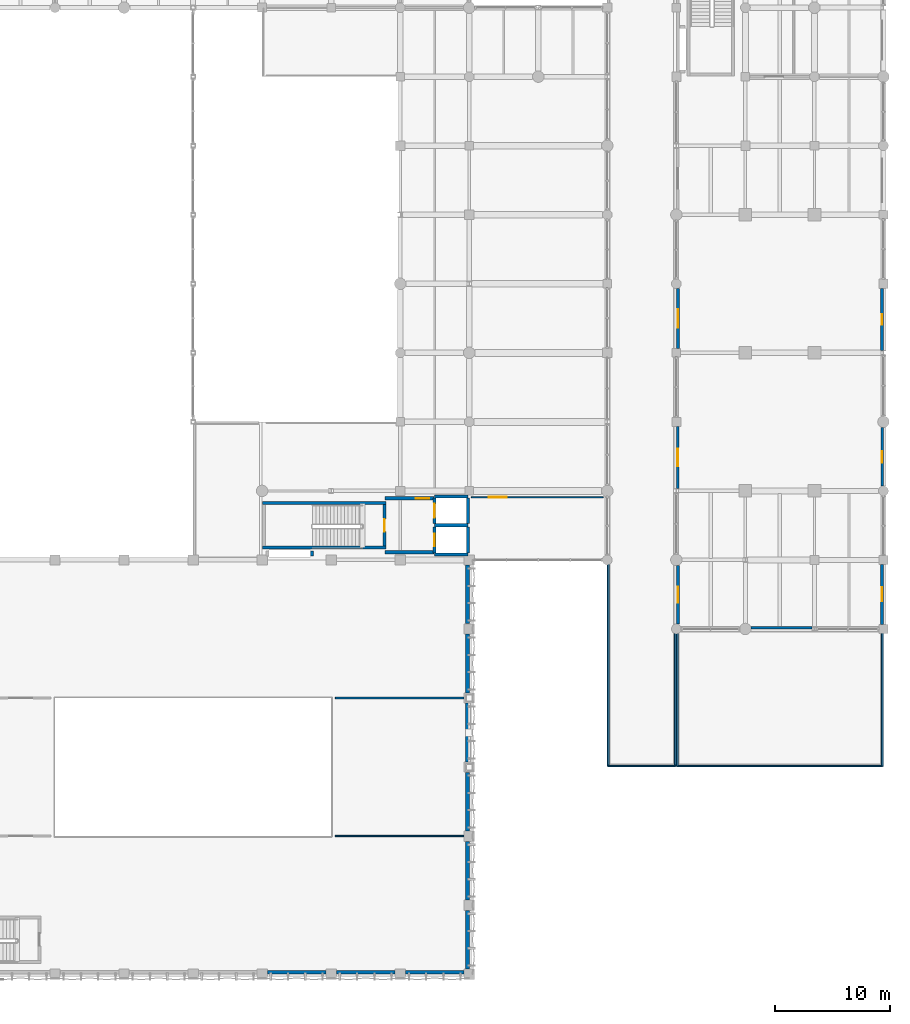
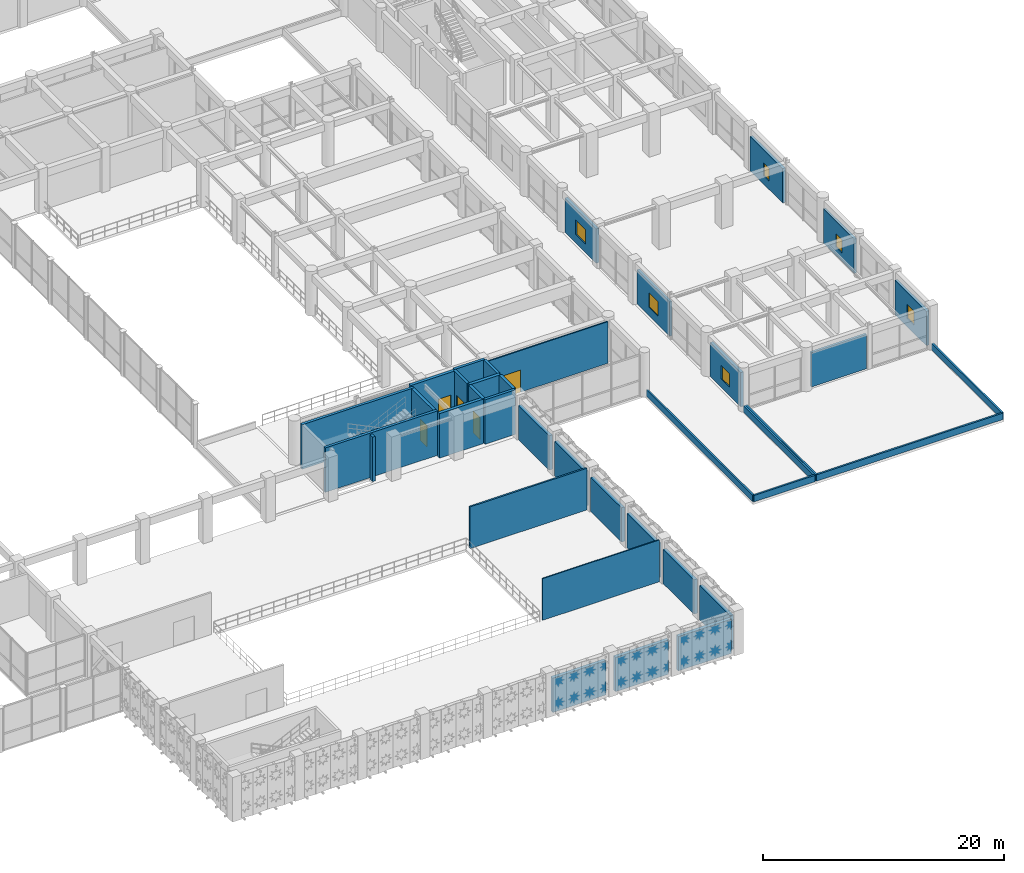
# One storey, part 105 of 133: 38 walls, 6 windows, 5 doors, 11 openings.
"""IFC4 building model written with IfcOpenShell, lengths in metres."""

from ifc_helpers import new_model, si_unit, direction, frame, frame_2d, origin, place, context, subcontext, project, spatial, rectangle, extrude, material, layer, layer_set, type_object, element, fill, save


model = new_model("IFC4")

# Units and contexts
model_context = context("Model", 3, precision=1e-05, world=origin(), true_north=direction((0.0, 1.0)))
body_context = subcontext(model_context, "Body", "Model", "MODEL_VIEW")
ifc_project = project(units=[si_unit("LENGTHUNIT", "METRE"), si_unit("AREAUNIT", "SQUARE_METRE"), si_unit("VOLUMEUNIT", "CUBIC_METRE"), si_unit("PLANEANGLEUNIT", "RADIAN"), si_unit("MASSUNIT", "GRAM", prefix="KILO"), si_unit("THERMODYNAMICTEMPERATUREUNIT", "KELVIN"), si_unit("POWERUNIT", "WATT")], contexts=[model_context])

# Site, building, storey
site_placement = place(None, origin())
site = spatial("IfcSite", under=ifc_project, at=site_placement, CompositionType="ELEMENT")
building_placement = place(site_placement, origin())
building = spatial("IfcBuilding", under=site, at=building_placement, Name="Phaisarnlok Congress Hotel", CompositionType="ELEMENT")
storey_placement = place(building_placement, frame((0.0, 0.0, 6.0)))
storey = spatial("IfcBuildingStorey", under=building, at=storey_placement, Name="L01", CompositionType="ELEMENT", Elevation=6.0)

# Wall, opening, window
ifc_material_1 = material(Name="Concrete C40/50", Category="concrete")
ifc_layer_1 = layer(ifc_material_1, 0.22998046875, Name="Concrete C40/50")
ifc_layer_set_1 = layer_set([ifc_layer_1], Name="Concrete C40/50")
wall_type_1 = type_object("IfcWallType", Name="WL-EXT-230", PredefinedType="SOLIDWALL", material=ifc_layer_set_1)
wall_1_placement = place(storey_placement, frame((162.114990234375, 47.594970703125, 0.0), z_axis=(0.0, 0.0, 1.0), x_axis=(0.0, -1.0, 0.0)))
wall_1 = element("IfcWall", 1, at=wall_1_placement, inside=storey, type_object=wall_type_1, Name="Exterior wall EW-06 (L01)", PredefinedType="SOLIDWALL", context=body_context, shape_type="SweptSolid", body=[
    extrude(rectangle(XDim=5.390380859375, YDim=0.22998046875, at=frame_2d((2.6953125, 0.0))), origin(), (0.0, 0.0, 1.0), 3.469970703125),
])
opening_1_placement = place(wall_1_placement, frame((1.945068359375, 0.0, 0.85009765625)))
opening_1 = element("IfcOpeningElement", 2, at=opening_1_placement, cuts=wall_1, Name="Opening W-12", PredefinedType="OPENING", context=body_context, shape_type="SweptSolid", body=[
    extrude(rectangle(XDim=1.5, YDim=1.5, at=frame_2d((0.75, 0.75))), frame((0.0, 0.125, 0.0), z_axis=(0.0, -1.0, 0.0), x_axis=(1.0, 0.0, 0.0)), (0.0, 0.0, 1.0), 0.25),
])
ifc_material_2 = material(Name="Thermally Broken Aluminium & Low-E Double Glazing", Category="aluminium")
window_type_1 = type_object("IfcWindowType", Name="WIN-POD-1500", PartitioningType="SINGLE_PANEL", PredefinedType="WINDOW", material=ifc_material_2)
window_1_placement = place(opening_1_placement, origin())
window_1 = element("IfcWindow", 3, at=window_1_placement, inside=storey, type_object=window_type_1, Name="Podium window W-12 (L01)", OverallHeight=1.5, OverallWidth=1.5, PartitioningType="SINGLE_PANEL", PredefinedType="WINDOW", context=body_context, shape_type="SweptSolid", body=[
    extrude(rectangle(XDim=1.5, YDim=1.5, at=frame_2d((0.75, 0.75))), frame((0.0, 0.030029296875, 0.0), z_axis=(0.0, -1.0, 0.0), x_axis=(1.0, 0.0, 0.0)), (0.0, 0.0, 1.0), 0.06005859375),
])
fill(opening_1, window_1)

# Wall
wall_2_placement = place(storey_placement, frame((168.5048828125, 30.114990234375, 0.0), z_axis=(0.0, 0.0, 1.0), x_axis=(1.0, 0.0, 0.0)))
element("IfcWall", 4, at=wall_2_placement, inside=storey, type_object=wall_type_1, Name="Exterior wall EW-06 (L01)", PredefinedType="SOLIDWALL", context=body_context, shape_type="SweptSolid", body=[
    extrude(rectangle(XDim=5.28955078125, YDim=0.22998046875, at=frame_2d((2.644775390625, 0.0))), origin(), (0.0, 0.0, 1.0), 3.469970703125),
])

# Wall, opening, window
wall_3_placement = place(storey_placement, frame((179.885009765625, 42.429931640625, 0.0), z_axis=(0.0, 0.0, 1.0), x_axis=(0.0, 1.0, 0.0)))
wall_3 = element("IfcWall", 5, at=wall_3_placement, inside=storey, type_object=wall_type_1, Name="Exterior wall EW-06 (L01)", PredefinedType="SOLIDWALL", context=body_context, shape_type="SweptSolid", body=[
    extrude(rectangle(XDim=5.065185546875, YDim=0.22998046875, at=frame_2d((2.53271484375, 0.0))), origin(), (0.0, 0.0, 1.0), 3.469970703125),
])
opening_2_placement = place(wall_3_placement, frame((2.031982421875, 0.0, 0.85009765625)))
opening_2 = element("IfcOpeningElement", 6, at=opening_2_placement, cuts=wall_3, Name="Opening W-15", PredefinedType="OPENING", context=body_context, shape_type="SweptSolid", body=[
    extrude(rectangle(XDim=1.0, YDim=1.35009765625, at=frame_2d((0.5, 0.675048828125))), frame((0.0, 0.125, 0.0), z_axis=(0.0, -1.0, 0.0), x_axis=(1.0, 0.0, 0.0)), (0.0, 0.0, 1.0), 0.25),
])
window_type_2 = type_object("IfcWindowType", Name="WIN-POD-1000", PartitioningType="SINGLE_PANEL", PredefinedType="WINDOW", material=ifc_material_2)
window_2_placement = place(opening_2_placement, origin())
window_2 = element("IfcWindow", 7, at=window_2_placement, inside=storey, type_object=window_type_2, Name="Podium window W-15 (L01)", OverallHeight=1.35009765625, OverallWidth=1.0, PartitioningType="SINGLE_PANEL", PredefinedType="WINDOW", context=body_context, shape_type="SweptSolid", body=[
    extrude(rectangle(XDim=1.0, YDim=1.35009765625, at=frame_2d((0.5, 0.675048828125))), frame((0.0, 0.030029296875, 0.0), z_axis=(0.0, -1.0, 0.0), x_axis=(1.0, 0.0, 0.0)), (0.0, 0.0, 1.0), 0.06005859375),
])
fill(opening_2, window_2)

ifc_layer_2 = layer(ifc_material_1, 0.27001953125, Name="Concrete C40/50")
ifc_layer_set_2 = layer_set([ifc_layer_2], Name="Concrete C40/50")
wall_type_2 = type_object("IfcWallType", Name="WL-EXT-270", PredefinedType="SOLIDWALL", material=ifc_layer_set_2)
wall_4_placement = place(storey_placement, frame((162.135009765625, 59.570068359375, 0.0), z_axis=(0.0, 0.0, 1.0), x_axis=(0.0, -1.0, 0.0)))
wall_4 = element("IfcWall", 8, at=wall_4_placement, inside=storey, type_object=wall_type_2, Name="Exterior wall EW-04 (L01)", PredefinedType="SOLIDWALL", context=body_context, shape_type="SweptSolid", body=[
    extrude(rectangle(XDim=5.190185546875, YDim=0.27001953125, at=frame_2d((2.59521484375, 0.0))), origin(), (0.0, 0.0, 1.0), 3.469970703125),
])
opening_3_placement = place(wall_4_placement, frame((1.794921875, 0.0, 0.85009765625)))
opening_3 = element("IfcOpeningElement", 9, at=opening_3_placement, cuts=wall_4, Name="Opening W-11", PredefinedType="OPENING", context=body_context, shape_type="SweptSolid", body=[
    extrude(rectangle(XDim=1.60009765625, YDim=1.5, at=frame_2d((0.800048828125, 0.75))), frame((0.0, 0.14501953125, 0.0), z_axis=(0.0, -1.0, 0.0), x_axis=(1.0, 0.0, 0.0)), (0.0, 0.0, 1.0), 0.2900390625),
])
window_type_3 = type_object("IfcWindowType", Name="WIN-POD-1600", PartitioningType="SINGLE_PANEL", PredefinedType="WINDOW", material=ifc_material_2)
window_3_placement = place(opening_3_placement, origin())
window_3 = element("IfcWindow", 10, at=window_3_placement, inside=storey, type_object=window_type_3, Name="Podium window W-11 (L01)", OverallHeight=1.5, OverallWidth=1.60009765625, PartitioningType="SINGLE_PANEL", PredefinedType="WINDOW", context=body_context, shape_type="SweptSolid", body=[
    extrude(rectangle(XDim=1.60009765625, YDim=1.5, at=frame_2d((0.800048828125, 0.75))), frame((0.0, 0.030029296875, 0.0), z_axis=(0.0, -1.0, 0.0), x_axis=(1.0, 0.0, 0.0)), (0.0, 0.0, 1.0), 0.06005859375),
])
fill(opening_3, window_3)

wall_5_placement = place(storey_placement, frame((162.135009765625, 35.4951171875, 0.0), z_axis=(0.0, 0.0, 1.0), x_axis=(0.0, -1.0, 0.0)))
wall_5 = element("IfcWall", 11, at=wall_5_placement, inside=storey, type_object=wall_type_2, Name="Exterior wall EW-04 (L01)", PredefinedType="SOLIDWALL", context=body_context, shape_type="SweptSolid", body=[
    extrude(rectangle(XDim=5.065185546875, YDim=0.27001953125, at=frame_2d((2.53271484375, 0.0))), origin(), (0.0, 0.0, 1.0), 3.469970703125),
])
opening_4_placement = place(wall_5_placement, frame((1.83203125, 0.0, 0.85009765625)))
opening_4 = element("IfcOpeningElement", 12, at=opening_4_placement, cuts=wall_5, Name="Opening W-13", PredefinedType="OPENING", context=body_context, shape_type="SweptSolid", body=[
    extrude(rectangle(XDim=1.39990234375, YDim=1.39990234375, at=frame_2d((0.699951171875, 0.699951171875))), frame((0.0, 0.14501953125, 0.0), z_axis=(0.0, -1.0, 0.0), x_axis=(1.0, 0.0, 0.0)), (0.0, 0.0, 1.0), 0.2900390625),
])
window_type_4 = type_object("IfcWindowType", Name="WIN-POD-1400", PartitioningType="SINGLE_PANEL", PredefinedType="WINDOW", material=ifc_material_2)
window_4_placement = place(opening_4_placement, origin())
window_4 = element("IfcWindow", 13, at=window_4_placement, inside=storey, type_object=window_type_4, Name="Podium window W-13 (L01)", OverallHeight=1.39990234375, OverallWidth=1.39990234375, PartitioningType="SINGLE_PANEL", PredefinedType="WINDOW", context=body_context, shape_type="SweptSolid", body=[
    extrude(rectangle(XDim=1.39990234375, YDim=1.39990234375, at=frame_2d((0.699951171875, 0.699951171875))), frame((0.0, 0.030029296875, 0.0), z_axis=(0.0, -1.0, 0.0), x_axis=(1.0, 0.0, 0.0)), (0.0, 0.0, 1.0), 0.06005859375),
])
fill(opening_4, window_4)

wall_6_placement = place(storey_placement, frame((179.864990234375, 30.405029296875, 0.0), z_axis=(0.0, 0.0, 1.0), x_axis=(0.0, 1.0, 0.0)))
wall_6 = element("IfcWall", 14, at=wall_6_placement, inside=storey, type_object=wall_type_2, Name="Exterior wall EW-04 (L01)", PredefinedType="SOLIDWALL", context=body_context, shape_type="SweptSolid", body=[
    extrude(rectangle(XDim=5.215087890625, YDim=0.27001953125, at=frame_2d((2.607421875, 0.0))), origin(), (0.0, 0.0, 1.0), 3.469970703125),
])
opening_5_placement = place(wall_6_placement, frame((2.007080078125, 0.0, 0.85009765625)))
opening_5 = element("IfcOpeningElement", 15, at=opening_5_placement, cuts=wall_6, Name="Opening W-14", PredefinedType="OPENING", context=body_context, shape_type="SweptSolid", body=[
    extrude(rectangle(XDim=1.199951171875, YDim=1.39990234375, at=frame_2d((0.60009765625, 0.699951171875))), frame((0.0, 0.14501953125, 0.0), z_axis=(0.0, -1.0, 0.0), x_axis=(1.0, 0.0, 0.0)), (0.0, 0.0, 1.0), 0.2900390625),
])
window_type_5 = type_object("IfcWindowType", Name="WIN-POD-1200", PartitioningType="SINGLE_PANEL", PredefinedType="WINDOW", material=ifc_material_2)
window_5_placement = place(opening_5_placement, origin())
window_5 = element("IfcWindow", 16, at=window_5_placement, inside=storey, type_object=window_type_5, Name="Podium window W-14 (L01)", OverallHeight=1.39990234375, OverallWidth=1.199951171875, PartitioningType="SINGLE_PANEL", PredefinedType="WINDOW", context=body_context, shape_type="SweptSolid", body=[
    extrude(rectangle(XDim=1.199951171875, YDim=1.39990234375, at=frame_2d((0.60009765625, 0.699951171875))), frame((0.0, 0.030029296875, 0.0), z_axis=(0.0, -1.0, 0.0), x_axis=(1.0, 0.0, 0.0)), (0.0, 0.0, 1.0), 0.06005859375),
])
fill(opening_5, window_5)

wall_7_placement = place(storey_placement, frame((179.864990234375, 54.20458984375, 0.0), z_axis=(0.0, 0.0, 1.0), x_axis=(0.0, 1.0, 0.0)))
wall_7 = element("IfcWall", 17, at=wall_7_placement, inside=storey, type_object=wall_type_2, Name="Exterior wall EW-04 (L01)", PredefinedType="SOLIDWALL", context=body_context, shape_type="SweptSolid", body=[
    extrude(rectangle(XDim=5.390380859375, YDim=0.27001953125, at=frame_2d((2.6953125, 0.0))), origin(), (0.0, 0.0, 1.0), 3.469970703125),
])
opening_6_placement = place(wall_7_placement, frame((2.2451171875, 0.0, 0.85009765625)))
opening_6 = element("IfcOpeningElement", 18, at=opening_6_placement, cuts=wall_7, Name="Opening W-16", PredefinedType="OPENING", context=body_context, shape_type="SweptSolid", body=[
    extrude(rectangle(XDim=0.89990234375, YDim=1.300048828125, at=frame_2d((0.449951171875, 0.64990234375))), frame((0.0, 0.14501953125, 0.0), z_axis=(0.0, -1.0, 0.0), x_axis=(1.0, 0.0, 0.0)), (0.0, 0.0, 1.0), 0.2900390625),
])
window_type_6 = type_object("IfcWindowType", Name="WIN-POD-0900", PartitioningType="SINGLE_PANEL", PredefinedType="WINDOW", material=ifc_material_2)
window_6_placement = place(opening_6_placement, origin())
window_6 = element("IfcWindow", 19, at=window_6_placement, inside=storey, type_object=window_type_6, Name="Podium window W-16 (L01)", OverallHeight=1.300048828125, OverallWidth=0.89990234375, PartitioningType="SINGLE_PANEL", PredefinedType="WINDOW", context=body_context, shape_type="SweptSolid", body=[
    extrude(rectangle(XDim=0.89990234375, YDim=1.300048828125, at=frame_2d((0.449951171875, 0.64990234375))), frame((0.0, 0.030029296875, 0.0), z_axis=(0.0, -1.0, 0.0), x_axis=(1.0, 0.0, 0.0)), (0.0, 0.0, 1.0), 0.06005859375),
])
fill(opening_6, window_6)

# Walls
ifc_layer_3 = layer(ifc_material_1, 0.320068359375, Name="Concrete C40/50")
ifc_layer_set_3 = layer_set([ifc_layer_3], Name="Concrete C40/50")
wall_type_3 = type_object("IfcWallType", Name="WL-EXT-320", PredefinedType="SOLIDWALL", material=ifc_layer_set_3)
for number, where, z_axis, x_axis, name in (
    (20, (126.455078125, 0.159912109375, 0.0), (0.0, 0.0, 1.0), (1.0, 0.0, 0.0), "Exterior wall EW-02 (L01)"),
    (21, (132.455078125, 0.159912109375, 0.0), (0.0, 0.0, 1.0), (1.0, 0.0, 0.0), "Exterior wall EW-02 (L01)"),
    (22, (138.455078125, 0.159912109375, 0.0), (0.0, 0.0, 1.0), (1.0, 0.0, 0.0), "Exterior wall EW-02 (L01)"),
    (23, (143.840087890625, 0.455078125, 0.0), (0.0, 0.0, 1.0), (0.0, 1.0, 0.0), "Exterior wall EW-02 (L01)"),
    (24, (143.840087890625, 6.455078125, 0.0), (0.0, 0.0, 1.0), (0.0, 1.0, 0.0), "Exterior wall EW-02 (L01)"),
    (25, (143.840087890625, 12.455078125, 0.0), (0.0, 0.0, 1.0), (0.0, 1.0, 0.0), "Exterior wall EW-02 (L01)"),
    (26, (143.840087890625, 18.455078125, 0.0), (0.0, 0.0, 1.0), (0.0, 1.0, 0.0), "Exterior wall EW-02 (L01)"),
    (27, (143.840087890625, 24.455078125, 0.0), (0.0, 0.0, 1.0), (0.0, 1.0, 0.0), "Exterior wall EW-02 (L01)"),
    (28, (143.840087890625, 30.455078125, 0.0), (0.0, 0.0, 1.0), (0.0, 1.0, 0.0), "Exterior wall EW-02 (L01)"),
):
    element("IfcWall", number, at=place(storey_placement, frame(where, z_axis=z_axis, x_axis=x_axis)), inside=storey, type_object=wall_type_3, Name=name, PredefinedType="SOLIDWALL", context=body_context, shape_type="SweptSolid", body=[
        extrude(rectangle(XDim=5.08984375, YDim=0.320068359375, at=frame_2d((2.544921875, 0.0))), origin(), (0.0, 0.0, 1.0), 3.469970703125),
    ])
ifc_material_3 = material(Name="Service Riser Shaftwall Partition", Category="gypsum")
ifc_layer_4 = layer(ifc_material_3, 0.10498046875, Name="Service Riser Shaftwall Partition")
ifc_layer_set_4 = layer_set([ifc_layer_4], Name="Service Riser Shaftwall Partition")
wall_type_4 = type_object("IfcWallType", Name="WL-INT-105", PredefinedType="PARTITIONING", material=ifc_layer_set_4)
wall_8_placement = place(storey_placement, frame((132.3701171875, 12.0, 0.0), z_axis=(0.0, 0.0, 1.0), x_axis=(1.0, 0.0, 0.0)))
element("IfcWall", 29, at=wall_8_placement, inside=storey, type_object=wall_type_4, Name="Interior partition wall IW-08 (L01)", PredefinedType="PARTITIONING", context=body_context, shape_type="SweptSolid", body=[
    extrude(rectangle(XDim=11.1748046875, YDim=0.10498046875, at=frame_2d((5.58740234375, 0.0))), origin(), (0.0, 0.0, 1.0), 4.219970703125),
])

# Wall, opening, door
ifc_material_4 = material(Name="Lightweight Metal-Stud Gypsum Partition", Category="gypsum")
ifc_layer_5 = layer(ifc_material_4, 0.1201171875, Name="Lightweight Metal-Stud Gypsum Partition")
ifc_layer_set_5 = layer_set([ifc_layer_5], Name="Lightweight Metal-Stud Gypsum Partition")
wall_type_5 = type_object("IfcWallType", Name="WL-INT-120", PredefinedType="PARTITIONING", material=ifc_layer_set_5)
wall_9_placement = place(storey_placement, frame((144.179931640625, 41.449951171875, 0.0), z_axis=(0.0, 0.0, 1.0), x_axis=(1.0, 0.0, 0.0)))
wall_9 = element("IfcWall", 30, at=wall_9_placement, inside=storey, type_object=wall_type_5, Name="Interior partition wall IW-07 (L01)", PredefinedType="PARTITIONING", context=body_context, shape_type="SweptSolid", body=[
    extrude(rectangle(XDim=11.449951171875, YDim=0.1201171875, at=frame_2d((5.72509765625, 0.0))), origin(), (0.0, 0.0, 1.0), 4.219970703125),
])
opening_7_placement = place(wall_9_placement, frame((1.5, 0.0, 0.0)))
opening_7 = element("IfcOpeningElement", 31, at=opening_7_placement, cuts=wall_9, Name="Opening D-0082", PredefinedType="OPENING", context=body_context, shape_type="SweptSolid", body=[
    extrude(rectangle(XDim=1.60009765625, YDim=2.25, at=frame_2d((0.800048828125, 1.125))), frame((0.0, 0.070068359375, 0.0), z_axis=(0.0, -1.0, 0.0), x_axis=(1.0, 0.0, 0.0)), (0.0, 0.0, 1.0), 0.14013671875),
])
ifc_material_5 = material(Name="Frameless Tempered Acoustic Glass", Category="glass")
door_type_1 = type_object("IfcDoorType", Name="DR-GLZ-1600", OperationType="DOUBLE_DOOR_SINGLE_SWING", PredefinedType="DOOR", material=ifc_material_5)
door_1_placement = place(opening_7_placement, origin())
door_1 = element("IfcDoor", 32, at=door_1_placement, inside=storey, type_object=door_type_1, Name="Interior door D-0082 (L01)", OperationType="DOUBLE_DOOR_SINGLE_SWING", OverallHeight=2.25, OverallWidth=1.60009765625, PredefinedType="DOOR", context=body_context, shape_type="SweptSolid", body=[
    extrude(rectangle(XDim=1.60009765625, YDim=2.25, at=frame_2d((0.800048828125, 1.125))), frame((0.0, 0.02490234375, 0.0), z_axis=(0.0, -1.0, 0.0), x_axis=(1.0, 0.0, 0.0)), (0.0, 0.0, 1.0), 0.050048828125),
])
fill(opening_7, door_1)

# Walls
ifc_material_6 = material(Name="Double-Stud Acoustic Gypsum Partition", Category="gypsum")
ifc_layer_6 = layer(ifc_material_6, 0.159912109375, Name="Double-Stud Acoustic Gypsum Partition")
ifc_layer_set_6 = layer_set([ifc_layer_6], Name="Double-Stud Acoustic Gypsum Partition")
wall_type_6 = type_object("IfcWallType", Name="WL-INT-160", PredefinedType="PARTITIONING", material=ifc_layer_set_6)
wall_10_placement = place(storey_placement, frame((132.3701171875, 24.0, 0.0), z_axis=(0.0, 0.0, 1.0), x_axis=(1.0, 0.0, 0.0)))
element("IfcWall", 33, at=wall_10_placement, inside=storey, type_object=wall_type_6, Name="Interior partition wall IW-04 (L01)", PredefinedType="PARTITIONING", context=body_context, shape_type="SweptSolid", body=[
    extrude(rectangle(XDim=11.1748046875, YDim=0.159912109375, at=frame_2d((5.58740234375, 0.0))), origin(), (0.0, 0.0, 1.0), 4.219970703125),
])
ifc_layer_7 = layer(ifc_material_1, 0.169921875, Name="Concrete C40/50")
ifc_layer_set_7 = layer_set([ifc_layer_7], Name="Concrete C40/50")
wall_type_7 = type_object("IfcWallType", Name="WL-PAR-170", PredefinedType="PARAPET", material=ifc_layer_set_7)
wall_11_placement = place(storey_placement, frame((161.909912109375, 18.090087890625, 0.0), z_axis=(0.0, 0.0, 1.0), x_axis=(0.0, 1.0, 0.0)))
element("IfcWall", 34, at=wall_11_placement, inside=storey, type_object=wall_type_7, Name="Podium roof parapet WP-02 (L01)", PredefinedType="PARAPET", context=body_context, shape_type="SweptSolid", body=[
    extrude(rectangle(XDim=11.6240234375, YDim=0.169921875, at=frame_2d((5.81201171875, 0.0))), origin(), (0.0, 0.0, 1.0), 0.64990234375),
])
wall_12_placement = place(storey_placement, frame((156.090087890625, 35.714111328125, 0.0), z_axis=(0.0, 0.0, 1.0), x_axis=(0.0, -1.0, 0.0)))
element("IfcWall", 35, at=wall_12_placement, inside=storey, type_object=wall_type_7, Name="Podium roof parapet WP-02 (L01)", PredefinedType="PARAPET", context=body_context, shape_type="SweptSolid", body=[
    extrude(rectangle(XDim=17.6240234375, YDim=0.169921875, at=frame_2d((8.81201171875, 0.0))), origin(), (0.0, 0.0, 1.0), 0.64990234375),
])
wall_13_placement = place(storey_placement, frame((156.090087890625, 18.090087890625, 0.0), z_axis=(0.0, 0.0, 1.0), x_axis=(1.0, 0.0, 0.0)))
element("IfcWall", 36, at=wall_13_placement, inside=storey, type_object=wall_type_7, Name="Podium roof parapet WP-02 (L01)", PredefinedType="PARAPET", context=body_context, shape_type="SweptSolid", body=[
    extrude(rectangle(XDim=5.81982421875, YDim=0.169921875, at=frame_2d((2.909912109375, 0.0))), origin(), (0.0, 0.0, 1.0), 0.64990234375),
])
for number, where, z_axis, x_axis, name in (
    (37, (179.909912109375, 18.090087890625, 0.0), (0.0, 0.0, 1.0), (0.0, 1.0, 0.0), "Podium roof parapet WP-02 (L01)"),
    (38, (162.090087890625, 29.699951171875, 0.0), (0.0, 0.0, 1.0), (0.0, -1.0, 0.0), "Podium roof parapet WP-02 (L01)"),
):
    element("IfcWall", number, at=place(storey_placement, frame(where, z_axis=z_axis, x_axis=x_axis)), inside=storey, type_object=wall_type_7, Name=name, PredefinedType="PARAPET", context=body_context, shape_type="SweptSolid", body=[
        extrude(rectangle(XDim=11.60986328125, YDim=0.169921875, at=frame_2d((5.804931640625, 0.0))), origin(), (0.0, 0.0, 1.0), 0.64990234375),
    ])
wall_14_placement = place(storey_placement, frame((162.090087890625, 18.090087890625, 0.0), z_axis=(0.0, 0.0, 1.0), x_axis=(1.0, 0.0, 0.0)))
element("IfcWall", 39, at=wall_14_placement, inside=storey, type_object=wall_type_7, Name="Podium roof parapet WP-02 (L01)", PredefinedType="PARAPET", context=body_context, shape_type="SweptSolid", body=[
    extrude(rectangle(XDim=17.81982421875, YDim=0.169921875, at=frame_2d((8.909912109375, 0.0))), origin(), (0.0, 0.0, 1.0), 0.64990234375),
])
ifc_material_7 = material(Name="Concrete C50/60", Category="concrete")
ifc_layer_8 = layer(ifc_material_7, 0.260009765625, Name="Concrete C50/60")
ifc_layer_set_8 = layer_set([ifc_layer_8], Name="Concrete C50/60")
wall_type_8 = type_object("IfcWallType", Name="WL-SHR-260", PredefinedType="SHEAR", material=ifc_layer_set_8)
for number, where, z_axis, x_axis, name in (
    (40, (126.0400390625, 37.070068359375, 0.0), (0.0, 0.0, 1.0), (1.0, 0.0, 0.0), "Stair shaft shear wall SW-04 (CORE-6 L01)"),
    (41, (126.0400390625, 40.929931640625, 0.0), (0.0, 0.0, 1.0), (1.0, 0.0, 0.0), "Stair shaft shear wall SW-04 (CORE-6 L01)"),
):
    element("IfcWall", number, at=place(storey_placement, frame(where, z_axis=z_axis, x_axis=x_axis)), inside=storey, type_object=wall_type_8, Name=name, PredefinedType="SHEAR", context=body_context, shape_type="SweptSolid", body=[
        extrude(rectangle(XDim=10.719970703125, YDim=0.260009765625, at=frame_2d((5.35986328125, 0.0))), origin(), (0.0, 0.0, 1.0), 4.5),
    ])

# Wall, opening, door
wall_15_placement = place(storey_placement, frame((136.6298828125, 37.199951171875, 0.0), z_axis=(0.0, 0.0, 1.0), x_axis=(0.0, 1.0, 0.0)))
wall_15 = element("IfcWall", 42, at=wall_15_placement, inside=storey, type_object=wall_type_8, Name="Stair shaft shear wall SW-04 (CORE-6 L01)", PredefinedType="SHEAR", context=body_context, shape_type="SweptSolid", body=[
    extrude(rectangle(XDim=3.60009765625, YDim=0.260009765625, at=frame_2d((1.800048828125, 0.0))), origin(), (0.0, 0.0, 1.0), 4.5),
])
opening_8_placement = place(wall_15_placement, frame((1.25, 0.0, 0.0)))
opening_8 = element("IfcOpeningElement", 43, at=opening_8_placement, cuts=wall_15, Name="Opening FD-135", PredefinedType="OPENING", context=body_context, shape_type="SweptSolid", body=[
    extrude(rectangle(XDim=1.10009765625, YDim=2.14990234375, at=frame_2d((0.550048828125, 1.074951171875))), frame((0.0, 0.14013671875, 0.0), z_axis=(0.0, -1.0, 0.0), x_axis=(1.0, 0.0, 0.0)), (0.0, 0.0, 1.0), 0.280029296875),
])
ifc_material_8 = material(Name="Fire-Rated Steel Frame & Timber Leaf", Category="steel")
door_type_2 = type_object("IfcDoorType", Name="DR-FD60-1100", OperationType="NOTDEFINED", PredefinedType="DOOR", material=ifc_material_8)
door_2_placement = place(opening_8_placement, origin())
door_2 = element("IfcDoor", 44, at=door_2_placement, inside=storey, type_object=door_type_2, Name="Stair enclosure fire door FD-135 (L01)", OperationType="SINGLE_SWING_RIGHT", OverallHeight=2.14990234375, OverallWidth=1.10009765625, PredefinedType="DOOR", context=body_context, shape_type="SweptSolid", body=[
    extrude(rectangle(XDim=1.10009765625, YDim=2.14990234375, at=frame_2d((0.550048828125, 1.074951171875))), frame((0.0, 0.02490234375, 0.0), z_axis=(0.0, -1.0, 0.0), x_axis=(1.0, 0.0, 0.0)), (0.0, 0.0, 1.0), 0.050048828125),
])
fill(opening_8, door_2)

# Walls
wall_16_placement = place(storey_placement, frame((140.969970703125, 36.469970703125, 0.0), z_axis=(0.0, 0.0, 1.0), x_axis=(1.0, 0.0, 0.0)))
element("IfcWall", 45, at=wall_16_placement, inside=storey, type_object=wall_type_8, Name="Lift shaft shear wall SW-04 (LF-CP2 L01)", PredefinedType="SHEAR", context=body_context, shape_type="SweptSolid", body=[
    extrude(rectangle(XDim=2.909912109375, YDim=0.260009765625, at=frame_2d((1.455078125, 0.0))), origin(), (0.0, 0.0, 1.0), 4.5),
])
wall_17_placement = place(storey_placement, frame((143.8798828125, 36.60009765625, 0.0), z_axis=(0.0, 0.0, 1.0), x_axis=(0.0, 1.0, 0.0)))
element("IfcWall", 46, at=wall_17_placement, inside=storey, type_object=wall_type_8, Name="Lift shaft shear wall SW-04 (LF-CP2 L01)", PredefinedType="SHEAR", context=body_context, shape_type="SweptSolid", body=[
    extrude(rectangle(XDim=2.25, YDim=0.260009765625, at=frame_2d((1.125, 0.0))), origin(), (0.0, 0.0, 1.0), 4.5),
])

# Wall, opening, door
wall_18_placement = place(storey_placement, frame((140.969970703125, 36.60009765625, 0.0), z_axis=(0.0, 0.0, 1.0), x_axis=(0.0, 1.0, 0.0)))
wall_18 = element("IfcWall", 47, at=wall_18_placement, inside=storey, type_object=wall_type_8, Name="Lift shaft front wall SW-04 (LF-CP2 L01)", PredefinedType="SHEAR", context=body_context, shape_type="SweptSolid", body=[
    extrude(rectangle(XDim=2.25, YDim=0.260009765625, at=frame_2d((1.125, 0.0))), origin(), (0.0, 0.0, 1.0), 4.5),
])
opening_9_placement = place(wall_18_placement, frame((0.574951171875, 0.0, 0.0)))
opening_9 = element("IfcOpeningElement", 48, at=opening_9_placement, cuts=wall_18, Name="Opening LD-120", PredefinedType="OPENING", context=body_context, shape_type="SweptSolid", body=[
    extrude(rectangle(XDim=1.10009765625, YDim=2.199951171875, at=frame_2d((0.550048828125, 1.10009765625))), frame((0.0, 0.14013671875, 0.0), z_axis=(0.0, -1.0, 0.0), x_axis=(1.0, 0.0, 0.0)), (0.0, 0.0, 1.0), 0.280029296875),
])
ifc_material_9 = material(Name="Brushed Stainless Steel Grade 304", Category="steel")
door_type_3 = type_object("IfcDoorType", Name="DR-LD-1100", OperationType="DOUBLE_DOOR_SLIDING", PredefinedType="DOOR", material=ifc_material_9)
door_3_placement = place(opening_9_placement, origin())
door_3 = element("IfcDoor", 49, at=door_3_placement, inside=storey, type_object=door_type_3, Name="Lift landing sliding door LD-120 (LF-CP2 L01)", OperationType="DOUBLE_DOOR_SLIDING", OverallHeight=2.199951171875, OverallWidth=1.10009765625, PredefinedType="DOOR", context=body_context, shape_type="SweptSolid", body=[
    extrude(rectangle(XDim=1.10009765625, YDim=2.199951171875, at=frame_2d((0.550048828125, 1.10009765625))), frame((0.0, 0.02490234375, 0.0), z_axis=(0.0, -1.0, 0.0), x_axis=(1.0, 0.0, 0.0)), (0.0, 0.0, 1.0), 0.050048828125),
])
fill(opening_9, door_3)

# Walls
wall_19_placement = place(storey_placement, frame((140.969970703125, 41.530029296875, 0.0), z_axis=(0.0, 0.0, 1.0), x_axis=(1.0, 0.0, 0.0)))
element("IfcWall", 50, at=wall_19_placement, inside=storey, type_object=wall_type_8, Name="Lift shaft shear wall SW-04 (LF-SV2 L01)", PredefinedType="SHEAR", context=body_context, shape_type="SweptSolid", body=[
    extrude(rectangle(XDim=2.909912109375, YDim=0.260009765625, at=frame_2d((1.455078125, 0.0))), origin(), (0.0, 0.0, 1.0), 4.5),
])
wall_20_placement = place(storey_placement, frame((143.8798828125, 39.14990234375, 0.0), z_axis=(0.0, 0.0, 1.0), x_axis=(0.0, 1.0, 0.0)))
element("IfcWall", 51, at=wall_20_placement, inside=storey, type_object=wall_type_8, Name="Lift shaft shear wall SW-04 (LF-SV2 L01)", PredefinedType="SHEAR", context=body_context, shape_type="SweptSolid", body=[
    extrude(rectangle(XDim=2.25, YDim=0.260009765625, at=frame_2d((1.125, 0.0))), origin(), (0.0, 0.0, 1.0), 4.5),
])

# Wall, opening, door
wall_21_placement = place(storey_placement, frame((140.969970703125, 39.14990234375, 0.0), z_axis=(0.0, 0.0, 1.0), x_axis=(0.0, 1.0, 0.0)))
wall_21 = element("IfcWall", 52, at=wall_21_placement, inside=storey, type_object=wall_type_8, Name="Lift shaft front wall SW-04 (LF-SV2 L01)", PredefinedType="SHEAR", context=body_context, shape_type="SweptSolid", body=[
    extrude(rectangle(XDim=2.25, YDim=0.260009765625, at=frame_2d((1.125, 0.0))), origin(), (0.0, 0.0, 1.0), 4.5),
])
opening_10_placement = place(wall_21_placement, frame((0.52490234375, 0.0, 0.0)))
opening_10 = element("IfcOpeningElement", 53, at=opening_10_placement, cuts=wall_21, Name="Opening LD-126", PredefinedType="OPENING", context=body_context, shape_type="SweptSolid", body=[
    extrude(rectangle(XDim=1.199951171875, YDim=2.25, at=frame_2d((0.60009765625, 1.125))), frame((0.0, 0.14013671875, 0.0), z_axis=(0.0, -1.0, 0.0), x_axis=(1.0, 0.0, 0.0)), (0.0, 0.0, 1.0), 0.280029296875),
])
door_type_4 = type_object("IfcDoorType", Name="DR-LD-1200", OperationType="DOUBLE_DOOR_SLIDING", PredefinedType="DOOR", material=ifc_material_9)
door_4_placement = place(opening_10_placement, origin())
door_4 = element("IfcDoor", 54, at=door_4_placement, inside=storey, type_object=door_type_4, Name="Lift landing sliding door LD-126 (LF-SV2 L01)", OperationType="DOUBLE_DOOR_SLIDING", OverallHeight=2.25, OverallWidth=1.199951171875, PredefinedType="DOOR", context=body_context, shape_type="SweptSolid", body=[
    extrude(rectangle(XDim=1.199951171875, YDim=2.25, at=frame_2d((0.60009765625, 1.125))), frame((0.0, 0.02490234375, 0.0), z_axis=(0.0, -1.0, 0.0), x_axis=(1.0, 0.0, 0.0)), (0.0, 0.0, 1.0), 0.050048828125),
])
fill(opening_10, door_4)

# Walls
wall_22_placement = place(storey_placement, frame((130.330078125, 36.330078125, 0.0), z_axis=(0.0, 0.0, 1.0), x_axis=(0.0, 1.0, 0.0)))
element("IfcWall", 55, at=wall_22_placement, inside=storey, type_object=wall_type_8, Name="Service riser shaft wall SW-04 (CORE-6 L01)", PredefinedType="SHEAR", context=body_context, shape_type="SweptSolid", body=[
    extrude(rectangle(XDim=0.43994140625, YDim=0.260009765625, at=frame_2d((0.219970703125, 0.0))), origin(), (0.0, 0.0, 1.0), 4.5),
])
ifc_layer_9 = layer(ifc_material_7, 0.300048828125, Name="Concrete C50/60")
ifc_layer_set_9 = layer_set([ifc_layer_9], Name="Concrete C50/60")
wall_type_9 = type_object("IfcWallType", Name="WL-SHR-300", PredefinedType="SHEAR", material=ifc_layer_set_9)
wall_23_placement = place(storey_placement, frame((140.969970703125, 39.0, 0.0), z_axis=(0.0, 0.0, 1.0), x_axis=(1.0, 0.0, 0.0)))
element("IfcWall", 56, at=wall_23_placement, inside=storey, type_object=wall_type_9, Name="Lift shaft divider shear wall SW-03 (LF-CP2 L01)", PredefinedType="SHEAR", context=body_context, shape_type="SweptSolid", body=[
    extrude(rectangle(XDim=2.909912109375, YDim=0.300048828125, at=frame_2d((1.455078125, 0.0))), origin(), (0.0, 0.0, 1.0), 4.5),
])

# Wall, opening, door
wall_24_placement = place(storey_placement, frame((136.679931640625, 41.35009765625, 0.0), z_axis=(0.0, 0.0, 1.0), x_axis=(1.0, 0.0, 0.0)))
wall_24 = element("IfcWall", 57, at=wall_24_placement, inside=storey, type_object=wall_type_9, Name="Core lobby EI-120 wall SW-03 (CORE-6 L01)", PredefinedType="SHEAR", context=body_context, shape_type="SweptSolid", body=[
    extrude(rectangle(XDim=4.239990234375, YDim=0.300048828125, at=frame_2d((2.1201171875, 0.0))), origin(), (0.0, 0.0, 1.0), 4.5),
])
opening_11_placement = place(wall_24_placement, frame((2.64990234375, 0.0, 0.0)))
opening_11 = element("IfcOpeningElement", 58, at=opening_11_placement, cuts=wall_24, Name="Opening FD-141", PredefinedType="OPENING", context=body_context, shape_type="SweptSolid", body=[
    extrude(rectangle(XDim=1.199951171875, YDim=2.199951171875, at=frame_2d((0.60009765625, 1.10009765625))), frame((0.0, 0.16015625, 0.0), z_axis=(0.0, -1.0, 0.0), x_axis=(1.0, 0.0, 0.0)), (0.0, 0.0, 1.0), 0.320068359375),
])
door_type_5 = type_object("IfcDoorType", Name="DR-FD60-1200", OperationType="NOTDEFINED", PredefinedType="DOOR", material=ifc_material_8)
door_5_placement = place(opening_11_placement, origin())
door_5 = element("IfcDoor", 59, at=door_5_placement, inside=storey, type_object=door_type_5, Name="Firefighting lobby entrance door FD-141 (CORE-6 L01)", OperationType="SINGLE_SWING_RIGHT", OverallHeight=2.199951171875, OverallWidth=1.199951171875, PredefinedType="DOOR", context=body_context, shape_type="SweptSolid", body=[
    extrude(rectangle(XDim=1.199951171875, YDim=2.199951171875, at=frame_2d((0.60009765625, 1.10009765625))), frame((0.0, 0.02490234375, 0.0), z_axis=(0.0, -1.0, 0.0), x_axis=(1.0, 0.0, 0.0)), (0.0, 0.0, 1.0), 0.050048828125),
])
fill(opening_11, door_5)

# Wall
wall_25_placement = place(storey_placement, frame((136.679931640625, 36.64990234375, 0.0), z_axis=(0.0, 0.0, 1.0), x_axis=(1.0, 0.0, 0.0)))
element("IfcWall", 60, at=wall_25_placement, inside=storey, type_object=wall_type_9, Name="Core lobby EI-120 wall SW-03 (CORE-6 L01)", PredefinedType="SHEAR", context=body_context, shape_type="SweptSolid", body=[
    extrude(rectangle(XDim=4.239990234375, YDim=0.300048828125, at=frame_2d((2.1201171875, 0.0))), origin(), (0.0, 0.0, 1.0), 4.5),
])

save(model, "model.ifc")
